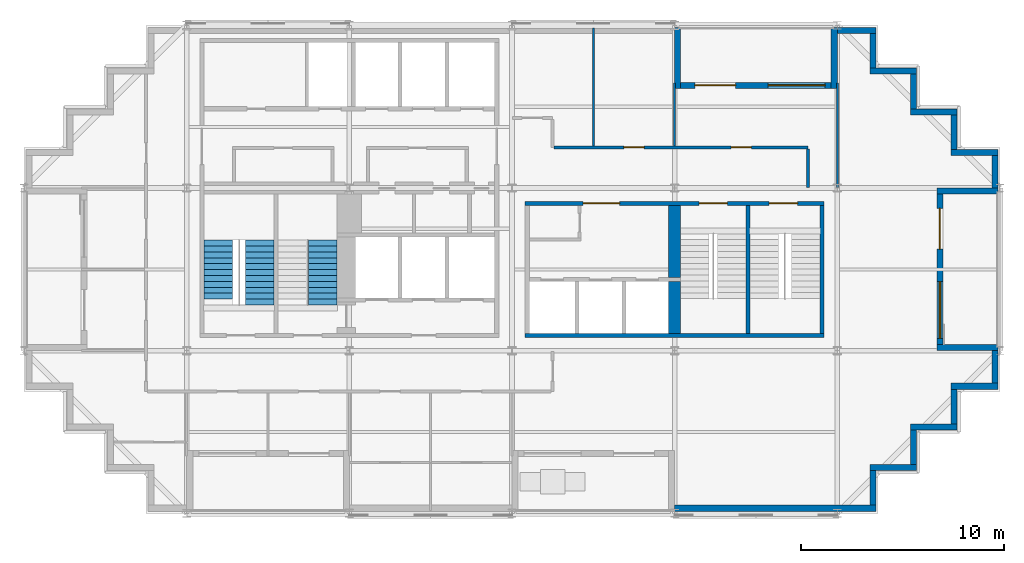
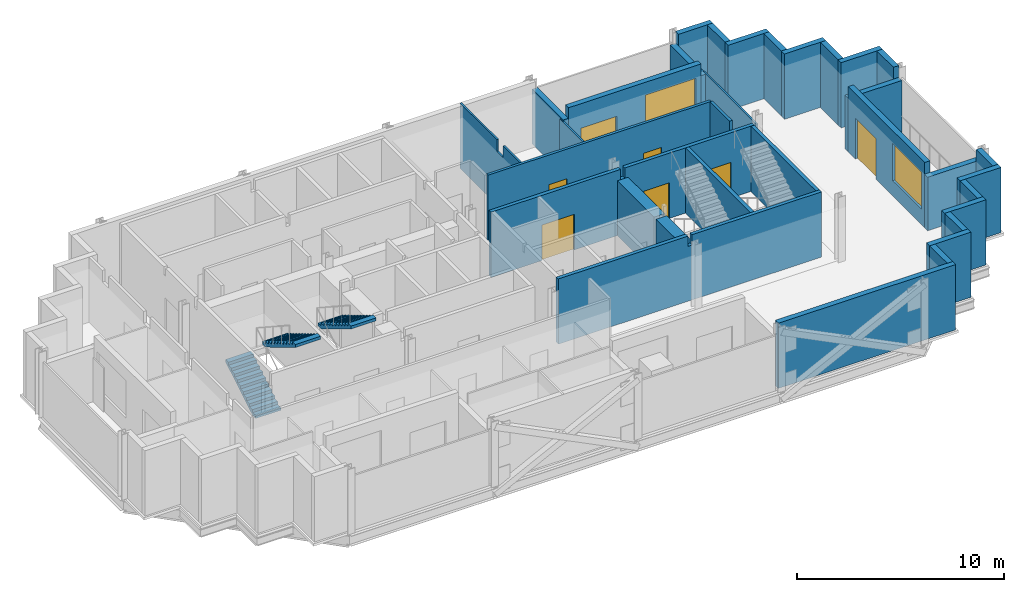
# One storey, part 5 of 8: 33 walls, 7 doors, 3 stair flights, 2 windows, 9 openings, 2 elements without a shape of their own.
"""IFC4 building model written with IfcOpenShell, lengths in metres."""

from ifc_helpers import new_model, si_unit, direction, frame, frame_2d, origin, place, context, subcontext, project, spatial, polyline, rectangle, outline, extrude, material, layer, layer_set, type_object, element, fill, aggregate, save


model = new_model("IFC4")

# Units and contexts
model_context = context("Model", 3, precision=1e-05, world=origin(), true_north=direction((0.0, 1.0)))
body_context = subcontext(model_context, "Body", "Model", "MODEL_VIEW")
ifc_project = project(units=[si_unit("LENGTHUNIT", "METRE"), si_unit("AREAUNIT", "SQUARE_METRE"), si_unit("VOLUMEUNIT", "CUBIC_METRE"), si_unit("PLANEANGLEUNIT", "RADIAN"), si_unit("MASSUNIT", "GRAM", prefix="KILO")], contexts=[model_context])

# Site, building, storey
site_placement = place(None, origin())
site = spatial("IfcSite", under=ifc_project, at=site_placement, CompositionType="ELEMENT")
building_placement = place(site_placement, origin())
building = spatial("IfcBuilding", under=site, at=building_placement, Name="Immortelle Media Tower", CompositionType="ELEMENT")
storey_placement = place(building_placement, frame((0.0, 0.0, 193.0)))
storey = spatial("IfcBuildingStorey", under=building, at=storey_placement, Name="L40", CompositionType="ELEMENT", Elevation=193.0)

# Wall
ifc_material_1 = material(Name="Fire-rated gypsum board", Category="gypsum")
ifc_layer_1 = layer(ifc_material_1, 0.012451171875)
ifc_material_2 = material(Name="Steel ASTM A653 SS Gr 50 stud frame with mineral wool", Category="steel")
ifc_layer_2 = layer(ifc_material_2, 0.125)
ifc_layer_3 = layer(ifc_material_1, 0.012451171875)
ifc_layer_set_1 = layer_set([ifc_layer_1, ifc_layer_2, ifc_layer_3], Name="Steel ASTM A653 SS Gr 50 stud frame with mineral wool")
wall_type_1 = type_object("IfcWallType", Name="Corridor wall 150", PredefinedType="PARTITIONING", material=ifc_layer_set_1)
wall_1_placement = place(storey_placement, frame((38.550048828125, 16.030029296875, 0.0), z_axis=(0.0, 0.0, 1.0), x_axis=(0.0, 1.0, 0.0)))
element("IfcWall", 1, at=wall_1_placement, inside=storey, type_object=wall_type_1, Name="Partition L40-017", PredefinedType="PARTITIONING", context=body_context, shape_type="SweptSolid", body=[
    extrude(rectangle(XDim=1.89501953125, YDim=0.14990234375, at=frame_2d((0.947509765625, 0.0))), origin(), (0.0, 0.0, 1.0), 3.85009765625),
])

# Wall, openings, doors
wall_2_placement = place(storey_placement, frame((26.074951171875, 18.0, 0.0), z_axis=(0.0, 0.0, 1.0), x_axis=(1.0, 0.0, 0.0)))
wall_2 = element("IfcWall", 2, at=wall_2_placement, inside=storey, type_object=wall_type_1, Name="Partition L40-019", PredefinedType="PARTITIONING", context=body_context, shape_type="SweptSolid", body=[
    extrude(rectangle(XDim=12.47509765625, YDim=0.14990234375, at=frame_2d((6.237548828125, 0.0))), origin(), (0.0, 0.0, 1.0), 3.85009765625),
])
opening_1_placement = place(wall_2_placement, frame((8.699951171875, 0.0, 0.0)))
opening_1 = element("IfcOpeningElement", 3, at=opening_1_placement, cuts=wall_2, Name="Opening O1-F013", PredefinedType="OPENING", context=body_context, shape_type="SweptSolid", body=[
    extrude(rectangle(XDim=1.0, YDim=2.10009765625, at=frame_2d((0.5, 1.050048828125))), frame((0.0, 0.0849609375, 0.0), z_axis=(0.0, -1.0, 0.0), x_axis=(1.0, 0.0, 0.0)), (0.0, 0.0, 1.0), 0.169921875),
])
opening_2_placement = place(wall_2_placement, frame((3.425048828125, 0.0, 0.0)))
opening_2 = element("IfcOpeningElement", 4, at=opening_2_placement, cuts=wall_2, Name="Opening O1-F015", PredefinedType="OPENING", context=body_context, shape_type="SweptSolid", body=[
    extrude(rectangle(XDim=1.0, YDim=2.10009765625, at=frame_2d((0.5, 1.050048828125))), frame((0.0, 0.0849609375, 0.0), z_axis=(0.0, -1.0, 0.0), x_axis=(1.0, 0.0, 0.0)), (0.0, 0.0, 1.0), 0.169921875),
])
ifc_material_3 = material(Name="Timber veneered door leaf, galvanised steel frame ASTM A653", Category="steel")
door_type_1 = type_object("IfcDoorType", Name="Room door 1000 x 2100", OperationType="NOTDEFINED", PredefinedType="DOOR", material=ifc_material_3)
door_1_placement = place(opening_1_placement, origin())
door_1 = element("IfcDoor", 5, at=door_1_placement, inside=storey, type_object=door_type_1, Name="Door O1-F013", OperationType="SINGLE_SWING_LEFT", OverallHeight=2.10009765625, OverallWidth=1.0, PredefinedType="DOOR", context=body_context, shape_type="SweptSolid", body=[
    extrude(rectangle(XDim=1.0, YDim=2.10009765625, at=frame_2d((0.5, 1.050048828125))), frame((0.0, 0.02490234375, 0.0), z_axis=(0.0, -1.0, 0.0), x_axis=(1.0, 0.0, 0.0)), (0.0, 0.0, 1.0), 0.050048828125),
])
fill(opening_1, door_1)
door_2_placement = place(opening_2_placement, origin())
door_2 = element("IfcDoor", 6, at=door_2_placement, inside=storey, type_object=door_type_1, Name="Door O1-F015", OperationType="SINGLE_SWING_RIGHT", OverallHeight=2.10009765625, OverallWidth=1.0, PredefinedType="DOOR", context=body_context, shape_type="SweptSolid", body=[
    extrude(rectangle(XDim=1.0, YDim=2.10009765625, at=frame_2d((0.5, 1.050048828125))), frame((0.0, 0.02490234375, 0.0), z_axis=(0.0, -1.0, 0.0), x_axis=(1.0, 0.0, 0.0)), (0.0, 0.0, 1.0), 0.050048828125),
])
fill(opening_2, door_2)

# Walls
ifc_material_4 = material(Name="Pale aluminium cladding panel", Category="aluminium")
ifc_layer_4 = layer(ifc_material_4, 0.030029296875)
ifc_layer_5 = layer(ifc_material_2, 0.257568359375)
ifc_material_5 = material(Name="Moisture-resistant gypsum board", Category="gypsum")
ifc_layer_6 = layer(ifc_material_5, 0.012451171875)
ifc_layer_set_2 = layer_set([ifc_layer_4, ifc_layer_5, ifc_layer_6], Name="Steel ASTM A653 SS Gr 50 stud frame with mineral wool")
wall_type_2 = type_object("IfcWallType", Name="Facade wall 300", PredefinedType="SOLIDWALL", material=ifc_layer_set_2)
wall_3_placement = place(storey_placement, frame((32.0, 0.25, 0.0), z_axis=(0.0, 0.0, 1.0), x_axis=(1.0, 0.0, 0.0)))
element("IfcWall", 7, at=wall_3_placement, inside=storey, type_object=wall_type_2, Name="Facade wall L40 S6", PredefinedType="SOLIDWALL", context=body_context, shape_type="SweptSolid", body=[
    extrude(rectangle(XDim=9.89990234375, YDim=0.300048828125, at=frame_2d((4.949951171875, 0.0))), origin(), (0.0, 0.0, 1.0), 3.85009765625),
])
wall_4_placement = place(storey_placement, frame((41.75, 0.39990234375, 0.0), z_axis=(0.0, 0.0, 1.0), x_axis=(0.0, 1.0, 0.0)))
element("IfcWall", 8, at=wall_4_placement, inside=storey, type_object=wall_type_2, Name="Facade wall L40 E7", PredefinedType="SOLIDWALL", context=body_context, shape_type="SweptSolid", body=[
    extrude(rectangle(XDim=1.7001953125, YDim=0.300048828125, at=frame_2d((0.85009765625, 0.0))), origin(), (0.0, 0.0, 1.0), 3.85009765625),
])
wall_5_placement = place(storey_placement, frame((41.60009765625, 2.25, 0.0), z_axis=(0.0, 0.0, 1.0), x_axis=(1.0, 0.0, 0.0)))
element("IfcWall", 9, at=wall_5_placement, inside=storey, type_object=wall_type_2, Name="Facade wall L40 S8", PredefinedType="SOLIDWALL", context=body_context, shape_type="SweptSolid", body=[
    extrude(rectangle(XDim=2.2998046875, YDim=0.300048828125, at=frame_2d((1.14990234375, 0.0))), origin(), (0.0, 0.0, 1.0), 3.85009765625),
])
wall_6_placement = place(storey_placement, frame((43.75, 2.39990234375, 0.0), z_axis=(0.0, 0.0, 1.0), x_axis=(0.0, 1.0, 0.0)))
element("IfcWall", 10, at=wall_6_placement, inside=storey, type_object=wall_type_2, Name="Facade wall L40 E9", PredefinedType="SOLIDWALL", context=body_context, shape_type="SweptSolid", body=[
    extrude(rectangle(XDim=1.7001953125, YDim=0.300048828125, at=frame_2d((0.85009765625, 0.0))), origin(), (0.0, 0.0, 1.0), 3.85009765625),
])
wall_7_placement = place(storey_placement, frame((43.60009765625, 4.25, 0.0), z_axis=(0.0, 0.0, 1.0), x_axis=(1.0, 0.0, 0.0)))
element("IfcWall", 11, at=wall_7_placement, inside=storey, type_object=wall_type_2, Name="Facade wall L40 S10", PredefinedType="SOLIDWALL", context=body_context, shape_type="SweptSolid", body=[
    extrude(rectangle(XDim=2.2998046875, YDim=0.300048828125, at=frame_2d((1.14990234375, 0.0))), origin(), (0.0, 0.0, 1.0), 3.85009765625),
])
wall_8_placement = place(storey_placement, frame((45.75, 4.39990234375, 0.0), z_axis=(0.0, 0.0, 1.0), x_axis=(0.0, 1.0, 0.0)))
element("IfcWall", 12, at=wall_8_placement, inside=storey, type_object=wall_type_2, Name="Facade wall L40 E11", PredefinedType="SOLIDWALL", context=body_context, shape_type="SweptSolid", body=[
    extrude(rectangle(XDim=1.7001953125, YDim=0.300048828125, at=frame_2d((0.85009765625, 0.0))), origin(), (0.0, 0.0, 1.0), 3.85009765625),
])
wall_9_placement = place(storey_placement, frame((45.60009765625, 6.25, 0.0), z_axis=(0.0, 0.0, 1.0), x_axis=(1.0, 0.0, 0.0)))
element("IfcWall", 13, at=wall_9_placement, inside=storey, type_object=wall_type_2, Name="Facade wall L40 S12", PredefinedType="SOLIDWALL", context=body_context, shape_type="SweptSolid", body=[
    extrude(rectangle(XDim=2.2998046875, YDim=0.300048828125, at=frame_2d((1.14990234375, 0.0))), origin(), (0.0, 0.0, 1.0), 3.85009765625),
])
wall_10_placement = place(storey_placement, frame((47.75, 6.39990234375, 0.0), z_axis=(0.0, 0.0, 1.0), x_axis=(0.0, 1.0, 0.0)))
element("IfcWall", 14, at=wall_10_placement, inside=storey, type_object=wall_type_2, Name="Facade wall L40 E13", PredefinedType="SOLIDWALL", context=body_context, shape_type="SweptSolid", body=[
    extrude(rectangle(XDim=1.60009765625, YDim=0.300048828125, at=frame_2d((0.800048828125, 0.0))), origin(), (0.0, 0.0, 1.0), 3.85009765625),
])

# Wall, openings, door, window
wall_11_placement = place(storey_placement, frame((45.050048828125, 8.300048828125, 0.0), z_axis=(0.0, 0.0, 1.0), x_axis=(0.0, 1.0, 0.0)))
wall_11 = element("IfcWall", 15, at=wall_11_placement, inside=storey, type_object=wall_type_2, Name="Loggia wall L40 E13", PredefinedType="SOLIDWALL", context=body_context, shape_type="SweptSolid", body=[
    extrude(rectangle(XDim=7.39990234375, YDim=0.300048828125, at=frame_2d((3.699951171875, 0.0))), origin(), (0.0, 0.0, 1.0), 3.85009765625),
])
opening_3_placement = place(wall_11_placement, frame((0.300048828125, 0.0, 0.89990234375)))
opening_3 = element("IfcOpeningElement", 16, at=opening_3_placement, cuts=wall_11, Name="Opening W1", PredefinedType="OPENING", context=body_context, shape_type="SweptSolid", body=[
    extrude(rectangle(XDim=2.800048828125, YDim=2.199951171875, at=frame_2d((1.39990234375, 1.10009765625))), frame((0.0, 0.159912109375, 0.0), z_axis=(0.0, -1.0, 0.0), x_axis=(1.0, 0.0, 0.0)), (0.0, 0.0, 1.0), 0.320068359375),
])
opening_4_placement = place(wall_11_placement, frame((4.699951171875, 0.0, 0.0)))
opening_4 = element("IfcOpeningElement", 17, at=opening_4_placement, cuts=wall_11, Name="Opening O1-E003", PredefinedType="OPENING", context=body_context, shape_type="SweptSolid", body=[
    extrude(rectangle(XDim=2.0, YDim=2.39990234375, at=frame_2d((1.0, 1.199951171875))), frame((0.0, 0.159912109375, 0.0), z_axis=(0.0, -1.0, 0.0), x_axis=(1.0, 0.0, 0.0)), (0.0, 0.0, 1.0), 0.320068359375),
])
ifc_material_6 = material(Name="Aluminium frame, glazed leaves", Category="aluminium")
door_type_2 = type_object("IfcDoorType", Name="Loggia door 2000 x 2400", OperationType="DOUBLE_DOOR_SINGLE_SWING", PredefinedType="DOOR", material=ifc_material_6)
door_3_placement = place(opening_4_placement, origin())
door_3 = element("IfcDoor", 18, at=door_3_placement, inside=storey, type_object=door_type_2, Name="Door O1-E003", OperationType="DOUBLE_DOOR_SINGLE_SWING", OverallHeight=2.39990234375, OverallWidth=2.0, PredefinedType="DOOR", context=body_context, shape_type="SweptSolid", body=[
    extrude(rectangle(XDim=2.0, YDim=2.39990234375, at=frame_2d((1.0, 1.199951171875))), frame((0.0, 0.02490234375, 0.0), z_axis=(0.0, -1.0, 0.0), x_axis=(1.0, 0.0, 0.0)), (0.0, 0.0, 1.0), 0.050048828125),
])
fill(opening_4, door_3)
ifc_material_7 = material(Name="Aluminium frame", Category="aluminium")
window_type = type_object("IfcWindowType", Name="Window 2800 x 2200", PartitioningType="SINGLE_PANEL", PredefinedType="WINDOW", material=ifc_material_7)
window_1_placement = place(opening_3_placement, origin())
window_1 = element("IfcWindow", 19, at=window_1_placement, inside=storey, type_object=window_type, Name="Window L40 L40-R13-B0", OverallHeight=2.199951171875, OverallWidth=2.800048828125, PartitioningType="SINGLE_PANEL", PredefinedType="WINDOW", context=body_context, shape_type="SweptSolid", body=[
    extrude(rectangle(XDim=2.800048828125, YDim=2.199951171875, at=frame_2d((1.39990234375, 1.10009765625))), frame((0.0, 0.030029296875, 0.0), z_axis=(0.0, -1.0, 0.0), x_axis=(1.0, 0.0, 0.0)), (0.0, 0.0, 1.0), 0.06005859375),
])
fill(opening_3, window_1)

# Walls
for number, where, z_axis, x_axis, name in (
    (20, (47.89990234375, 8.14990234375, 0.0), (0.0, 0.0, 1.0), (-1.0, 0.0, 0.0), "Loggia cheek wall L40 E"),
    (21, (47.89990234375, 15.85009765625, 0.0), (0.0, 0.0, 1.0), (-1.0, 0.0, 0.0), "Loggia cheek wall L40 E"),
):
    element("IfcWall", number, at=place(storey_placement, frame(where, z_axis=z_axis, x_axis=x_axis)), inside=storey, type_object=wall_type_2, Name=name, PredefinedType="SOLIDWALL", context=body_context, shape_type="SweptSolid", body=[
        extrude(rectangle(XDim=3.0, YDim=0.300048828125, at=frame_2d((1.5, 0.0))), origin(), (0.0, 0.0, 1.0), 3.156005859375),
    ])
wall_12_placement = place(storey_placement, frame((47.75, 16.0, 0.0), z_axis=(0.0, 0.0, 1.0), x_axis=(0.0, 1.0, 0.0)))
element("IfcWall", 22, at=wall_12_placement, inside=storey, type_object=wall_type_2, Name="Facade wall L40 E13", PredefinedType="SOLIDWALL", context=body_context, shape_type="SweptSolid", body=[
    extrude(rectangle(XDim=1.60009765625, YDim=0.300048828125, at=frame_2d((0.800048828125, 0.0))), origin(), (0.0, 0.0, 1.0), 3.85009765625),
])
wall_13_placement = place(storey_placement, frame((47.89990234375, 17.75, 0.0), z_axis=(0.0, 0.0, 1.0), x_axis=(-1.0, 0.0, 0.0)))
element("IfcWall", 23, at=wall_13_placement, inside=storey, type_object=wall_type_2, Name="Facade wall L40 N14", PredefinedType="SOLIDWALL", context=body_context, shape_type="SweptSolid", body=[
    extrude(rectangle(XDim=2.2998046875, YDim=0.300048828125, at=frame_2d((1.14990234375, 0.0))), origin(), (0.0, 0.0, 1.0), 3.85009765625),
])
wall_14_placement = place(storey_placement, frame((45.75, 17.89990234375, 0.0), z_axis=(0.0, 0.0, 1.0), x_axis=(0.0, 1.0, 0.0)))
element("IfcWall", 24, at=wall_14_placement, inside=storey, type_object=wall_type_2, Name="Facade wall L40 E15", PredefinedType="SOLIDWALL", context=body_context, shape_type="SweptSolid", body=[
    extrude(rectangle(XDim=1.7001953125, YDim=0.300048828125, at=frame_2d((0.85009765625, 0.0))), origin(), (0.0, 0.0, 1.0), 3.85009765625),
])
wall_15_placement = place(storey_placement, frame((45.89990234375, 19.75, 0.0), z_axis=(0.0, 0.0, 1.0), x_axis=(-1.0, 0.0, 0.0)))
element("IfcWall", 25, at=wall_15_placement, inside=storey, type_object=wall_type_2, Name="Facade wall L40 N16", PredefinedType="SOLIDWALL", context=body_context, shape_type="SweptSolid", body=[
    extrude(rectangle(XDim=2.2998046875, YDim=0.300048828125, at=frame_2d((1.14990234375, 0.0))), origin(), (0.0, 0.0, 1.0), 3.85009765625),
])
wall_16_placement = place(storey_placement, frame((43.75, 19.89990234375, 0.0), z_axis=(0.0, 0.0, 1.0), x_axis=(0.0, 1.0, 0.0)))
element("IfcWall", 26, at=wall_16_placement, inside=storey, type_object=wall_type_2, Name="Facade wall L40 E17", PredefinedType="SOLIDWALL", context=body_context, shape_type="SweptSolid", body=[
    extrude(rectangle(XDim=1.7001953125, YDim=0.300048828125, at=frame_2d((0.85009765625, 0.0))), origin(), (0.0, 0.0, 1.0), 3.85009765625),
])
wall_17_placement = place(storey_placement, frame((43.89990234375, 21.75, 0.0), z_axis=(0.0, 0.0, 1.0), x_axis=(-1.0, 0.0, 0.0)))
element("IfcWall", 27, at=wall_17_placement, inside=storey, type_object=wall_type_2, Name="Facade wall L40 N18", PredefinedType="SOLIDWALL", context=body_context, shape_type="SweptSolid", body=[
    extrude(rectangle(XDim=2.2998046875, YDim=0.300048828125, at=frame_2d((1.14990234375, 0.0))), origin(), (0.0, 0.0, 1.0), 3.85009765625),
])
wall_18_placement = place(storey_placement, frame((41.75, 21.89990234375, 0.0), z_axis=(0.0, 0.0, 1.0), x_axis=(0.0, 1.0, 0.0)))
element("IfcWall", 28, at=wall_18_placement, inside=storey, type_object=wall_type_2, Name="Facade wall L40 E19", PredefinedType="SOLIDWALL", context=body_context, shape_type="SweptSolid", body=[
    extrude(rectangle(XDim=1.7001953125, YDim=0.300048828125, at=frame_2d((0.85009765625, 0.0))), origin(), (0.0, 0.0, 1.0), 3.85009765625),
])
wall_19_placement = place(storey_placement, frame((41.89990234375, 23.75, 0.0), z_axis=(0.0, 0.0, 1.0), x_axis=(-1.0, 0.0, 0.0)))
element("IfcWall", 29, at=wall_19_placement, inside=storey, type_object=wall_type_2, Name="Facade wall L40 N20", PredefinedType="SOLIDWALL", context=body_context, shape_type="SweptSolid", body=[
    extrude(rectangle(XDim=1.89990234375, YDim=0.300048828125, at=frame_2d((0.949951171875, 0.0))), origin(), (0.0, 0.0, 1.0), 3.85009765625),
])

# Wall, openings, door, window
wall_20_placement = place(storey_placement, frame((39.699951171875, 21.050048828125, 0.0), z_axis=(0.0, 0.0, 1.0), x_axis=(-1.0, 0.0, 0.0)))
wall_20 = element("IfcWall", 30, at=wall_20_placement, inside=storey, type_object=wall_type_2, Name="Loggia wall L40 N20", PredefinedType="SOLIDWALL", context=body_context, shape_type="SweptSolid", body=[
    extrude(rectangle(XDim=7.39990234375, YDim=0.300048828125, at=frame_2d((3.699951171875, 0.0))), origin(), (0.0, 0.0, 1.0), 3.85009765625),
])
opening_5_placement = place(wall_20_placement, frame((0.300048828125, 0.0, 0.89990234375)))
opening_5 = element("IfcOpeningElement", 31, at=opening_5_placement, cuts=wall_20, Name="Opening W1", PredefinedType="OPENING", context=body_context, shape_type="SweptSolid", body=[
    extrude(rectangle(XDim=2.800048828125, YDim=2.199951171875, at=frame_2d((1.39990234375, 1.10009765625))), frame((0.0, 0.159912109375, 0.0), z_axis=(0.0, -1.0, 0.0), x_axis=(1.0, 0.0, 0.0)), (0.0, 0.0, 1.0), 0.320068359375),
])
opening_6_placement = place(wall_20_placement, frame((4.699951171875, 0.0, 0.0)))
opening_6 = element("IfcOpeningElement", 32, at=opening_6_placement, cuts=wall_20, Name="Opening O1-E004", PredefinedType="OPENING", context=body_context, shape_type="SweptSolid", body=[
    extrude(rectangle(XDim=2.0, YDim=2.39990234375, at=frame_2d((1.0, 1.199951171875))), frame((0.0, 0.159912109375, 0.0), z_axis=(0.0, -1.0, 0.0), x_axis=(1.0, 0.0, 0.0)), (0.0, 0.0, 1.0), 0.320068359375),
])
door_4_placement = place(opening_6_placement, origin())
door_4 = element("IfcDoor", 33, at=door_4_placement, inside=storey, type_object=door_type_2, Name="Door O1-E004", OperationType="DOUBLE_DOOR_SINGLE_SWING", OverallHeight=2.39990234375, OverallWidth=2.0, PredefinedType="DOOR", context=body_context, shape_type="SweptSolid", body=[
    extrude(rectangle(XDim=2.0, YDim=2.39990234375, at=frame_2d((1.0, 1.199951171875))), frame((0.0, 0.02490234375, 0.0), z_axis=(0.0, -1.0, 0.0), x_axis=(1.0, 0.0, 0.0)), (0.0, 0.0, 1.0), 0.050048828125),
])
fill(opening_6, door_4)
window_2_placement = place(opening_5_placement, origin())
window_2 = element("IfcWindow", 34, at=window_2_placement, inside=storey, type_object=window_type, Name="Window L40 L40-R20-B0", OverallHeight=2.199951171875, OverallWidth=2.800048828125, PartitioningType="SINGLE_PANEL", PredefinedType="WINDOW", context=body_context, shape_type="SweptSolid", body=[
    extrude(rectangle(XDim=2.800048828125, YDim=2.199951171875, at=frame_2d((1.39990234375, 1.10009765625))), frame((0.0, 0.030029296875, 0.0), z_axis=(0.0, -1.0, 0.0), x_axis=(1.0, 0.0, 0.0)), (0.0, 0.0, 1.0), 0.06005859375),
])
fill(opening_5, window_2)

# Walls
wall_21_placement = place(storey_placement, frame((39.85009765625, 23.89990234375, 0.0), z_axis=(0.0, 0.0, 1.0), x_axis=(0.0, -1.0, 0.0)))
element("IfcWall", 35, at=wall_21_placement, inside=storey, type_object=wall_type_2, Name="Loggia cheek wall L40 N", PredefinedType="SOLIDWALL", context=body_context, shape_type="SweptSolid", body=[
    extrude(rectangle(XDim=3.0, YDim=0.300048828125, at=frame_2d((1.5, 0.0))), origin(), (0.0, 0.0, 1.0), 3.156005859375),
])
wall_22_placement = place(storey_placement, frame((32.14990234375, 23.89990234375, 0.0), z_axis=(0.0, 0.0, 1.0), x_axis=(0.0, -1.0, 0.0)))
element("IfcWall", 36, at=wall_22_placement, inside=storey, type_object=wall_type_2, Name="Loggia cheek wall L40 N", PredefinedType="SOLIDWALL", context=body_context, shape_type="SweptSolid", body=[
    extrude(rectangle(XDim=3.0, YDim=0.300048828125, at=frame_2d((1.5, 0.0))), origin(), (0.0, 0.0, 1.0), 3.237060546875),
])
ifc_material_8 = material(Name="Gypsum board", Category="gypsum")
ifc_layer_7 = layer(ifc_material_8, 0.012451171875)
ifc_layer_8 = layer(ifc_material_2, 0.074951171875)
ifc_layer_9 = layer(ifc_material_8, 0.012451171875)
ifc_layer_set_3 = layer_set([ifc_layer_7, ifc_layer_8, ifc_layer_9], Name="Steel ASTM A653 SS Gr 50 stud frame with mineral wool")
wall_type_3 = type_object("IfcWallType", Name="Partition 100", PredefinedType="PARTITIONING", material=ifc_layer_set_3)
wall_23_placement = place(storey_placement, frame((40.0, 16.030029296875, 0.0), z_axis=(0.0, 0.0, 1.0), x_axis=(0.0, 1.0, 0.0)))
element("IfcWall", 37, at=wall_23_placement, inside=storey, type_object=wall_type_3, Name="Partition L40-018", PredefinedType="PARTITIONING", context=body_context, shape_type="SweptSolid", body=[
    extrude(rectangle(XDim=5.139892578125, YDim=0.10009765625, at=frame_2d((2.56982421875, 0.0))), origin(), (0.0, 0.0, 1.0), 3.156982421875),
])
wall_24_placement = place(storey_placement, frame((28.0, 18.074951171875, 0.0), z_axis=(0.0, 0.0, 1.0), x_axis=(0.0, 1.0, 0.0)))
element("IfcWall", 38, at=wall_24_placement, inside=storey, type_object=wall_type_3, Name="Partition L40-021", PredefinedType="PARTITIONING", context=body_context, shape_type="SweptSolid", body=[
    extrude(outline(polyline([(0.0, 0.0), (5.795166015625, 0.0), (5.794921875, 3.85009765625), (2.22509765625, 3.85009765625), (2.222900390625, 3.156982421875), (1.626953125, 3.156982421875), (1.625, 3.85009765625), (0.0, 3.85009765625), (0.0, 0.0)])), frame((0.0, 0.050048828125, 0.0), z_axis=(0.0, -1.0, 0.0), x_axis=(1.0, 0.0, 0.0)), (0.0, 0.0, 1.0), 0.10009765625),
])
wall_25_placement = place(storey_placement, frame((32.0, 18.074951171875, 0.0), z_axis=(0.0, 0.0, 1.0), x_axis=(0.0, 1.0, 0.0)))
element("IfcWall", 39, at=wall_25_placement, inside=storey, type_object=wall_type_3, Name="Partition L40-022", PredefinedType="PARTITIONING", context=body_context, shape_type="SweptSolid", body=[
    extrude(rectangle(XDim=3.094970703125, YDim=0.10009765625, at=frame_2d((1.54736328125, 0.0))), origin(), (0.0, 0.0, 1.0), 3.156982421875),
])
ifc_material_9 = material(Name="Concrete C60", Category="concrete")
ifc_layer_10 = layer(ifc_material_9, 0.199951171875)
ifc_layer_set_4 = layer_set([ifc_layer_10], Name="Concrete C60")
wall_type_4 = type_object("IfcWallType", Name="Stair shaft wall 200", PredefinedType="PARTITIONING", material=ifc_layer_set_4)
wall_26_placement = place(storey_placement, frame((24.64990234375, 8.75, 0.0), z_axis=(0.0, 0.0, 1.0), x_axis=(1.0, 0.0, 0.0)))
element("IfcWall", 40, at=wall_26_placement, inside=storey, type_object=wall_type_4, Name="Stair shaft wall SE", PredefinedType="PARTITIONING", context=body_context, shape_type="SweptSolid", body=[
    extrude(outline(polyline([(0.0, 0.0), (14.7001953125, 0.0), (14.699951171875, 3.85009765625), (7.468994140625, 3.85009765625), (7.468017578125, 3.241943359375), (7.23193359375, 3.241943359375), (7.23095703125, 3.85009765625), (0.0, 3.85009765625), (0.0, 0.0)])), frame((0.0, 0.10009765625, 0.0), z_axis=(0.0, -1.0, 0.0), x_axis=(1.0, 0.0, 0.0)), (0.0, 0.0, 1.0), 0.199951171875),
])

# Wall, openings, doors
wall_27_placement = place(storey_placement, frame((24.64990234375, 15.25, 0.0), z_axis=(0.0, 0.0, 1.0), x_axis=(1.0, 0.0, 0.0)))
wall_27 = element("IfcWall", 41, at=wall_27_placement, inside=storey, type_object=wall_type_4, Name="Stair shaft wall SE", PredefinedType="PARTITIONING", context=body_context, shape_type="SweptSolid", body=[
    extrude(outline(polyline([(0.0, 0.0), (14.7001953125, 0.0), (14.699951171875, 3.85009765625), (7.468994140625, 3.85009765625), (7.468017578125, 3.241943359375), (7.23193359375, 3.241943359375), (7.23095703125, 3.85009765625), (0.0, 3.85009765625), (0.0, 0.0)])), frame((0.0, 0.10009765625, 0.0), z_axis=(0.0, -1.0, 0.0), x_axis=(1.0, 0.0, 0.0)), (0.0, 0.0, 1.0), 0.199951171875),
])
opening_7_placement = place(wall_27_placement, frame((2.85009765625, 0.0, 0.0)))
opening_7 = element("IfcOpeningElement", 42, at=opening_7_placement, cuts=wall_27, Name="Opening O1-K023", PredefinedType="OPENING", context=body_context, shape_type="SweptSolid", body=[
    extrude(rectangle(XDim=1.800048828125, YDim=2.10009765625, at=frame_2d((0.89990234375, 1.050048828125))), frame((0.0, 0.10986328125, 0.0), z_axis=(0.0, -1.0, 0.0), x_axis=(1.0, 0.0, 0.0)), (0.0, 0.0, 1.0), 0.219970703125),
])
opening_8_placement = place(wall_27_placement, frame((9.949951171875, 0.0, 0.0), z_axis=(0.0, 0.0, 1.0), x_axis=(-1.0, 0.0, 0.0)))
opening_8 = element("IfcOpeningElement", 43, at=opening_8_placement, cuts=wall_27, Name="Opening O1-K025", PredefinedType="OPENING", context=body_context, shape_type="SweptSolid", body=[
    extrude(rectangle(XDim=1.39990234375, YDim=2.10009765625, at=frame_2d((0.699951171875, 1.050048828125))), frame((0.0, 0.10986328125, 0.0), z_axis=(0.0, -1.0, 0.0), x_axis=(1.0, 0.0, 0.0)), (0.0, 0.0, 1.0), 0.219970703125),
])
opening_9_placement = place(wall_27_placement, frame((13.39990234375, 0.0, 0.0), z_axis=(0.0, 0.0, 1.0), x_axis=(-1.0, 0.0, 0.0)))
opening_9 = element("IfcOpeningElement", 44, at=opening_9_placement, cuts=wall_27, Name="Opening O1-K026", PredefinedType="OPENING", context=body_context, shape_type="SweptSolid", body=[
    extrude(rectangle(XDim=1.39990234375, YDim=2.10009765625, at=frame_2d((0.699951171875, 1.050048828125))), frame((0.0, 0.10986328125, 0.0), z_axis=(0.0, -1.0, 0.0), x_axis=(1.0, 0.0, 0.0)), (0.0, 0.0, 1.0), 0.219970703125),
])
ifc_material_10 = material(Name="Galvanised steel door leaf and frame ASTM A653", Category="steel")
door_type_3 = type_object("IfcDoorType", Name="Lift lobby door 1800 x 2100", OperationType="DOUBLE_DOOR_SINGLE_SWING", PredefinedType="NOTDEFINED", material=ifc_material_10)
door_5_placement = place(opening_7_placement, origin())
door_5 = element("IfcDoor", 45, at=door_5_placement, inside=storey, type_object=door_type_3, Name="Lift lobby O1-K023", OperationType="DOUBLE_DOOR_SINGLE_SWING", OverallHeight=2.10009765625, OverallWidth=1.800048828125, PredefinedType="NOTDEFINED", context=body_context, shape_type="SweptSolid", body=[
    extrude(rectangle(XDim=1.800048828125, YDim=2.10009765625, at=frame_2d((0.89990234375, 1.050048828125))), frame((0.0, 0.02490234375, 0.0), z_axis=(0.0, -1.0, 0.0), x_axis=(1.0, 0.0, 0.0)), (0.0, 0.0, 1.0), 0.050048828125),
])
fill(opening_7, door_5)
door_type_4 = type_object("IfcDoorType", Name="Stair door 1400 x 2100", OperationType="DOUBLE_DOOR_SINGLE_SWING", PredefinedType="NOTDEFINED", material=ifc_material_10)
door_6_placement = place(opening_8_placement, origin())
door_6 = element("IfcDoor", 46, at=door_6_placement, inside=storey, type_object=door_type_4, Name="Stair O1-K025", OperationType="DOUBLE_DOOR_SINGLE_SWING", OverallHeight=2.10009765625, OverallWidth=1.39990234375, PredefinedType="NOTDEFINED", context=body_context, shape_type="SweptSolid", body=[
    extrude(rectangle(XDim=1.39990234375, YDim=2.10009765625, at=frame_2d((0.699951171875, 1.050048828125))), frame((0.0, 0.02490234375, 0.0), z_axis=(0.0, -1.0, 0.0), x_axis=(1.0, 0.0, 0.0)), (0.0, 0.0, 1.0), 0.050048828125),
])
fill(opening_8, door_6)
door_7_placement = place(opening_9_placement, origin())
door_7 = element("IfcDoor", 47, at=door_7_placement, inside=storey, type_object=door_type_4, Name="Stair O1-K026", OperationType="DOUBLE_DOOR_SINGLE_SWING", OverallHeight=2.10009765625, OverallWidth=1.39990234375, PredefinedType="NOTDEFINED", context=body_context, shape_type="SweptSolid", body=[
    extrude(rectangle(XDim=1.39990234375, YDim=2.10009765625, at=frame_2d((0.699951171875, 1.050048828125))), frame((0.0, 0.02490234375, 0.0), z_axis=(0.0, -1.0, 0.0), x_axis=(1.0, 0.0, 0.0)), (0.0, 0.0, 1.0), 0.050048828125),
])
fill(opening_9, door_7)

# Walls
for number, where, z_axis, x_axis, name in (
    (48, (35.60009765625, 8.85009765625, 0.0), (0.0, 0.0, 1.0), (0.0, 1.0, 0.0), "Stair shaft wall SE"),
    (49, (39.25, 8.85009765625, 0.0), (0.0, 0.0, 1.0), (0.0, 1.0, 0.0), "Stair shaft wall SE"),
):
    element("IfcWall", number, at=place(storey_placement, frame(where, z_axis=z_axis, x_axis=x_axis)), inside=storey, type_object=wall_type_4, Name=name, PredefinedType="PARTITIONING", context=body_context, shape_type="SweptSolid", body=[
        extrude(rectangle(XDim=6.2998046875, YDim=0.199951171875, at=frame_2d((3.14990234375, 0.0))), origin(), (0.0, 0.0, 1.0), 3.85009765625),
    ])
ifc_layer_11 = layer(ifc_material_9, 0.60009765625)
ifc_layer_set_5 = layer_set([ifc_layer_11], Name="Concrete C60")
wall_type_5 = type_object("IfcWallType", Name="Stair shaft wall 600", PredefinedType="PARTITIONING", material=ifc_layer_set_5)
wall_28_placement = place(storey_placement, frame((32.0, 8.85009765625, 0.0), z_axis=(0.0, 0.0, 1.0), x_axis=(0.0, 1.0, 0.0)))
element("IfcWall", 50, at=wall_28_placement, inside=storey, type_object=wall_type_5, Name="Stair shaft wall SE", PredefinedType="PARTITIONING", context=body_context, shape_type="SweptSolid", body=[
    extrude(rectangle(XDim=2.5498046875, YDim=0.60009765625, at=frame_2d((1.27490234375, 0.0))), origin(), (0.0, 0.0, 1.0), 3.241943359375),
])
wall_29_placement = place(storey_placement, frame((32.0, 11.60009765625, 0.0), z_axis=(0.0, 0.0, 1.0), x_axis=(0.0, 1.0, 0.0)))
element("IfcWall", 51, at=wall_29_placement, inside=storey, type_object=wall_type_5, Name="Stair shaft wall SE", PredefinedType="PARTITIONING", context=body_context, shape_type="SweptSolid", body=[
    extrude(rectangle(XDim=3.5498046875, YDim=0.60009765625, at=frame_2d((1.77490234375, 0.0))), origin(), (0.0, 0.0, 1.0), 3.241943359375),
])

# Stair, stair flights
ifc_material_11 = material(Name="Steel ASTM A992 Gr 50", Category="steel")
stair_type = type_object("IfcStairType", Name="Stair with flights", PredefinedType="DOUBLE_RETURN_STAIR", material=ifc_material_11)
stair_1_placement = place(storey_placement, origin())
stair_1 = element("IfcStair", 52, at=stair_1_placement, inside=storey, type_object=stair_type, Name="Exit stair SW1", PredefinedType="DOUBLE_RETURN_STAIR")
stair_flight_type = type_object("IfcStairFlightType", Name="Stair flight 1400", PredefinedType="STRAIGHT", material=ifc_material_11)
stair_flight_1_placement = place(storey_placement, frame((9.550048828125, 10.5400390625, 0.0), z_axis=(0.0, 0.0, 1.0), x_axis=(0.0, 1.0, 0.0)))
stair_flight_1 = element("IfcStairFlight", 53, at=stair_flight_1_placement, type_object=stair_flight_type, Name="ST SW1 flight 1", NumberOfRisers=11, NumberOfTreads=10, PredefinedType="STRAIGHT", RiserHeight=0.173913043, TreadLength=0.29, context=body_context, shape_type="SweptSolid", body=[
    extrude(outline(polyline([(0.0, 0.0), (0.0, 0.173828125), (0.2900390625, 0.173828125), (0.2900390625, 0.347900390625), (0.580078125, 0.347900390625), (0.580078125, 0.521728515625), (0.8701171875, 0.521728515625), (0.8701171875, 0.695556640625), (1.159912109375, 0.695556640625), (1.159912109375, 0.86962890625), (1.449951171875, 0.86962890625), (1.449951171875, 1.04345703125), (1.739990234375, 1.04345703125), (1.739990234375, 1.21728515625), (2.030029296875, 1.21728515625), (2.030029296875, 1.391357421875), (2.320068359375, 1.391357421875), (2.320068359375, 1.565185546875), (2.610107421875, 1.565185546875), (2.610107421875, 1.739013671875), (2.89990234375, 1.739013671875), (2.89990234375, 1.9130859375), (2.89990234375, 1.564453125), (0.29150390625, 0.0), (0.0, 0.0)])), frame((0.0, 0.699951171875, 0.0), z_axis=(0.0, -1.0, 0.0), x_axis=(1.0, 0.0, 0.0)), (0.0, 0.0, 1.0), 1.39990234375),
])
stair_flight_2_placement = place(storey_placement, frame((11.60009765625, 13.43994140625, 1.9130859375), z_axis=(0.0, 0.0, 1.0), x_axis=(0.0, -1.0, 0.0)))
stair_flight_2 = element("IfcStairFlight", 54, at=stair_flight_2_placement, type_object=stair_flight_type, Name="ST SW1 flight 2", NumberOfRisers=12, NumberOfTreads=11, PredefinedType="STRAIGHT", RiserHeight=0.173913043, TreadLength=0.29, context=body_context, shape_type="SweptSolid", body=[
    extrude(outline(polyline([(0.0, 0.0), (0.0, 0.173828125), (0.2900390625, 0.173828125), (0.2900390625, 0.347900390625), (0.580078125, 0.347900390625), (0.580078125, 0.521728515625), (0.8701171875, 0.521728515625), (0.8701171875, 0.695556640625), (1.159912109375, 0.695556640625), (1.159912109375, 0.86962890625), (1.449951171875, 0.86962890625), (1.449951171875, 1.04345703125), (1.739990234375, 1.04345703125), (1.739990234375, 1.21728515625), (2.030029296875, 1.21728515625), (2.030029296875, 1.391357421875), (2.320068359375, 1.391357421875), (2.320068359375, 1.565185546875), (2.610107421875, 1.565185546875), (2.610107421875, 1.739013671875), (2.89990234375, 1.739013671875), (2.89990234375, 1.9130859375), (3.18994140625, 1.9130859375), (3.18994140625, 2.0869140625), (3.18994140625, 1.73828125), (0.29150390625, 0.0), (0.0, 0.0)])), frame((0.0, 0.699951171875, 0.0), z_axis=(0.0, -1.0, 0.0), x_axis=(1.0, 0.0, 0.0)), (0.0, 0.0, 1.0), 1.39990234375),
])
aggregate(stair_1, [stair_flight_1, stair_flight_2])

# Stair, stair flight
stair_2_placement = place(storey_placement, origin())
stair_2 = element("IfcStair", 55, at=stair_2_placement, inside=storey, type_object=stair_type, Name="Exit stair SW2", PredefinedType="DOUBLE_RETURN_STAIR")
stair_flight_3_placement = place(storey_placement, frame((14.699951171875, 13.43994140625, 1.9130859375), z_axis=(0.0, 0.0, 1.0), x_axis=(0.0, -1.0, 0.0)))
stair_flight_3 = element("IfcStairFlight", 56, at=stair_flight_3_placement, type_object=stair_flight_type, Name="ST SW2 flight 2", NumberOfRisers=12, NumberOfTreads=11, PredefinedType="STRAIGHT", RiserHeight=0.173913043, TreadLength=0.29, context=body_context, shape_type="SweptSolid", body=[
    extrude(outline(polyline([(0.0, 0.0), (0.0, 0.173828125), (0.2900390625, 0.173828125), (0.2900390625, 0.347900390625), (0.580078125, 0.347900390625), (0.580078125, 0.521728515625), (0.8701171875, 0.521728515625), (0.8701171875, 0.695556640625), (1.159912109375, 0.695556640625), (1.159912109375, 0.86962890625), (1.449951171875, 0.86962890625), (1.449951171875, 1.04345703125), (1.739990234375, 1.04345703125), (1.739990234375, 1.21728515625), (2.030029296875, 1.21728515625), (2.030029296875, 1.391357421875), (2.320068359375, 1.391357421875), (2.320068359375, 1.565185546875), (2.610107421875, 1.565185546875), (2.610107421875, 1.739013671875), (2.89990234375, 1.739013671875), (2.89990234375, 1.9130859375), (3.18994140625, 1.9130859375), (3.18994140625, 2.0869140625), (3.18994140625, 1.73828125), (0.29150390625, 0.0), (0.0, 0.0)])), frame((0.0, 0.699951171875, 0.0), z_axis=(0.0, -1.0, 0.0), x_axis=(1.0, 0.0, 0.0)), (0.0, 0.0, 1.0), 1.39990234375),
])
aggregate(stair_2, [stair_flight_3])

save(model, "model.ifc")
